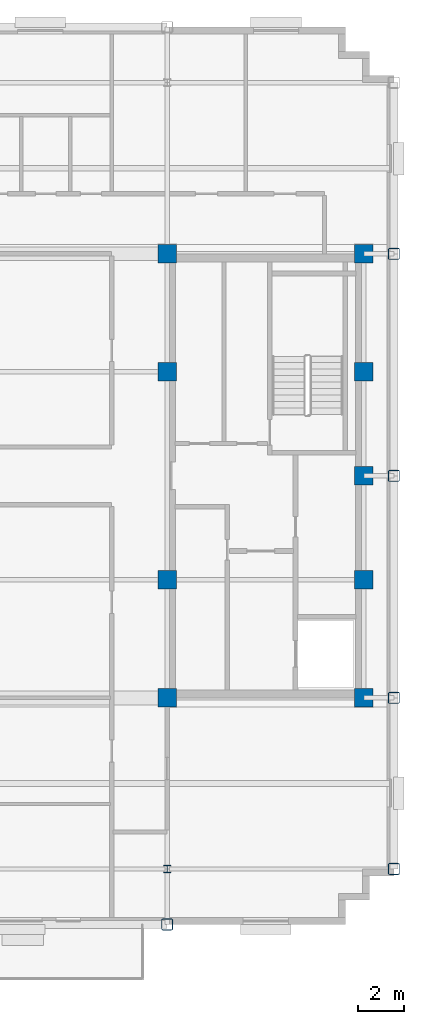
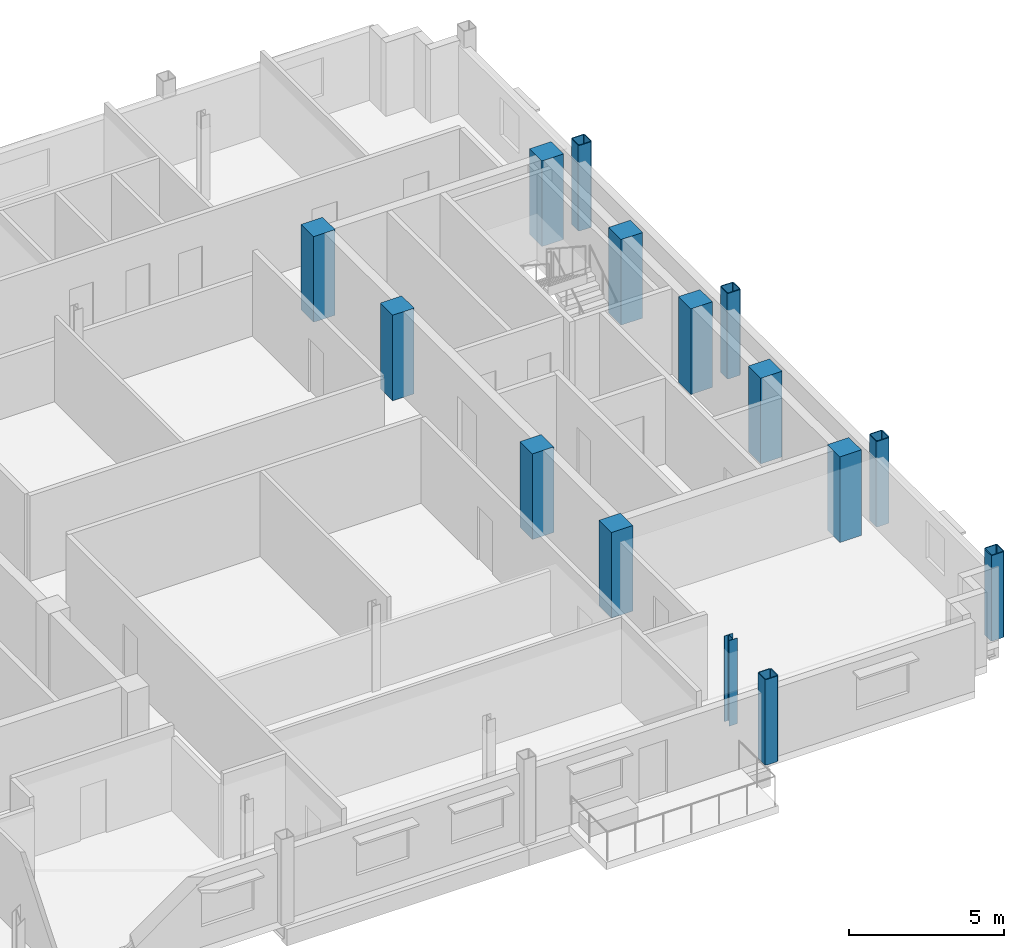
# One storey, part 2 of 13: 15 columns.
"""IFC4 building model written with IfcOpenShell, lengths in metres."""

from ifc_helpers import new_model, si_unit, direction, frame, origin, origin_2d, place, context, subcontext, project, spatial, rectangle, hollow_rectangle, i_section, extrude, material, material_profile, profile_set, type_object, element, save


model = new_model("IFC4")

# Units and contexts
model_context = context("Model", 3, precision=1e-05, world=origin(), true_north=direction((0.0, 1.0)))
body_context = subcontext(model_context, "Body", "Model", "MODEL_VIEW")
ifc_project = project(units=[si_unit("LENGTHUNIT", "METRE"), si_unit("AREAUNIT", "SQUARE_METRE"), si_unit("VOLUMEUNIT", "CUBIC_METRE"), si_unit("PLANEANGLEUNIT", "RADIAN"), si_unit("MASSUNIT", "GRAM", prefix="KILO")], contexts=[model_context])

# Site, building, storey
site_placement = place(None, origin())
site = spatial("IfcSite", under=ifc_project, at=site_placement, CompositionType="ELEMENT")
building_placement = place(site_placement, origin())
building = spatial("IfcBuilding", under=site, at=building_placement, Name="Nuvemarco Arch Tower", CompositionType="ELEMENT")
storey_placement = place(building_placement, frame((0.0, 0.0, 234.699951171875)))
storey = spatial("IfcBuildingStorey", under=building, at=storey_placement, Name="L62", CompositionType="ELEMENT", Elevation=234.699951171875)

# Columns
ifc_material_1 = material(Name="Concrete C50/60", Category="concrete")
ifc_material_profile_1 = material_profile(ifc_material_1, rectangle(XDim=0.800048828125, YDim=0.800048828125, at=origin_2d()), Name="RC-COL-800x800")
ifc_profile_set_1 = profile_set([ifc_material_profile_1], Name="Concrete C50/60")
column_type_1 = type_object("IfcColumnType", Name="COL-CORE-800", PredefinedType="COLUMN", material=ifc_profile_set_1)
for number, where, z_axis, x_axis, name in (
    (1, (9.0, -9.60009765625, 0.0), (0.0, 0.0, 1.0), (1.0, 0.0, 0.0), "L62 column CC_+9.0_-9.6"),
    (2, (9.0, -4.5, 0.0), (0.0, 0.0, 1.0), (1.0, 0.0, 0.0), "L62 column CC_+9.0_-4.5"),
    (3, (9.0, 4.5, 0.0), (0.0, 0.0, 1.0), (1.0, 0.0, 0.0), "L62 column CC_+9.0_+4.5"),
    (4, (9.0, 9.60009765625, 0.0), (0.0, 0.0, 1.0), (1.0, 0.0, 0.0), "L62 column CC_+9.0_+9.6"),
    (5, (17.5, -9.60009765625, 0.0), (0.0, 0.0, 1.0), (1.0, 0.0, 0.0), "L62 column CC_+17.5_-9.6"),
    (6, (17.5, -4.5, 0.0), (0.0, 0.0, 1.0), (1.0, 0.0, 0.0), "L62 column CC_+17.5_-4.5"),
    (7, (17.5, 4.5, 0.0), (0.0, 0.0, 1.0), (1.0, 0.0, 0.0), "L62 column CC_+17.5_+4.5"),
    (8, (17.5, 9.60009765625, 0.0), (0.0, 0.0, 1.0), (1.0, 0.0, 0.0), "L62 column CC_+17.5_+9.6"),
    (9, (17.5, 0.0, 0.0), (0.0, 0.0, 1.0), (1.0, 0.0, 0.0), "L62 column CC_+17.5_+0.0"),
):
    element("IfcColumn", number, at=place(storey_placement, frame(where, z_axis=z_axis, x_axis=x_axis)), inside=storey, type_object=column_type_1, Name=name, PredefinedType="COLUMN", context=body_context, shape_type="SweptSolid", body=[
        extrude(rectangle(XDim=0.800048828125, YDim=0.800048828125, at=origin_2d()), origin(), (0.0, 0.0, 1.0), 3.3701171875),
    ])
ifc_material_2 = material(Name="Steel S355", Category="steel")
ifc_material_profile_2 = material_profile(ifc_material_2, hollow_rectangle(XDim=0.5, YDim=0.5, WallThickness=0.031982421875, InnerFilletRadius=0.031982421875, OuterFilletRadius=0.06396484375, at=origin_2d()), Name="SHS500x500x32")
ifc_profile_set_2 = profile_set([ifc_material_profile_2], Name="Steel S355")
column_type_2 = type_object("IfcColumnType", Name="COL-EXO-500", PredefinedType="COLUMN", material=ifc_profile_set_2)
for number, where, z_axis, x_axis, name in (
    (10, (18.800048828125, -17.0, 0.0), (0.0, 0.0, 1.0), (1.0, 0.0, 0.0), "L62 column CX_+18.8_-17.0"),
    (11, (18.800048828125, -9.60009765625, 0.0), (0.0, 0.0, 1.0), (1.0, 0.0, 0.0), "L62 column CX_+18.8_-9.6"),
    (12, (18.800048828125, 0.0, 0.0), (0.0, 0.0, 1.0), (1.0, 0.0, 0.0), "L62 column CX_+18.8_+0.0"),
    (13, (18.800048828125, 9.60009765625, 0.0), (0.0, 0.0, 1.0), (1.0, 0.0, 0.0), "L62 column CX_+18.8_+9.6"),
    (14, (9.0, -19.39990234375, 0.0), (0.0, 0.0, 1.0), (1.0, 0.0, 0.0), "L62 column CY_+9.0_-19.4"),
):
    element("IfcColumn", number, at=place(storey_placement, frame(where, z_axis=z_axis, x_axis=x_axis)), inside=storey, type_object=column_type_2, Name=name, PredefinedType="COLUMN", context=body_context, shape_type="SweptSolid", body=[
        extrude(hollow_rectangle(XDim=0.5, YDim=0.5, WallThickness=0.031982421875, InnerFilletRadius=0.031982421875, OuterFilletRadius=0.06396484375, at=origin_2d()), origin(), (0.0, 0.0, 1.0), 3.3701171875),
    ])
ifc_material_profile_3 = material_profile(ifc_material_2, i_section(OverallWidth=0.31005859375, OverallDepth=0.31005859375, WebThickness=0.015380859375, FlangeThickness=0.015380859375, FilletRadius=0.014892578125, at=origin_2d()), Name="HP310x110")
ifc_profile_set_3 = profile_set([ifc_material_profile_3], Name="Steel S355")
column_type_3 = type_object("IfcColumnType", Name="COL-STL-HP310", PredefinedType="COLUMN", material=ifc_profile_set_3)
column_placement = place(storey_placement, frame((9.0, -17.0, 0.0), z_axis=(0.0, 0.0, 1.0), x_axis=(1.0, 0.0, 0.0)))
element("IfcColumn", 15, at=column_placement, inside=storey, type_object=column_type_3, Name="L62 column CI_+9.0_-17.0", PredefinedType="COLUMN", context=body_context, shape_type="SweptSolid", body=[
    extrude(i_section(OverallWidth=0.31005859375, OverallDepth=0.31005859375, WebThickness=0.015380859375, FlangeThickness=0.015380859375, FilletRadius=0.014892578125, at=origin_2d()), origin(), (0.0, 0.0, 1.0), 3.3701171875),
])

save(model, "model.ifc")
